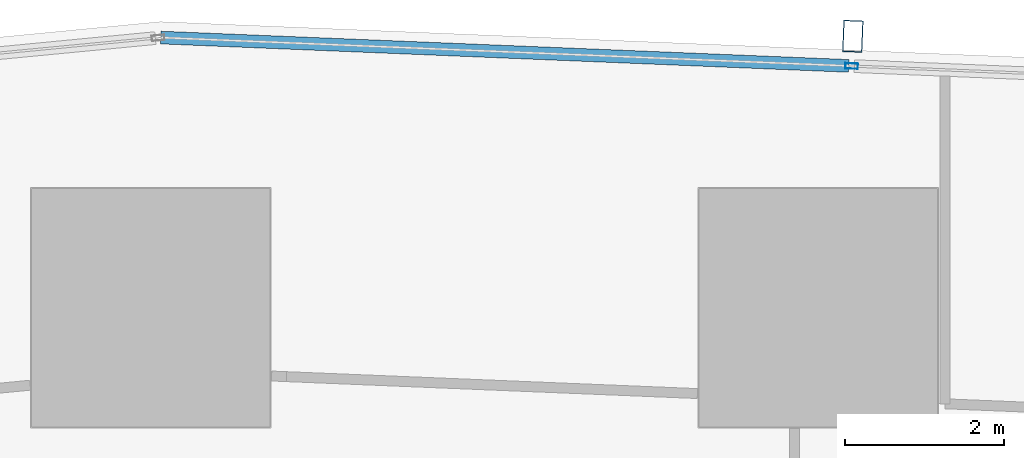
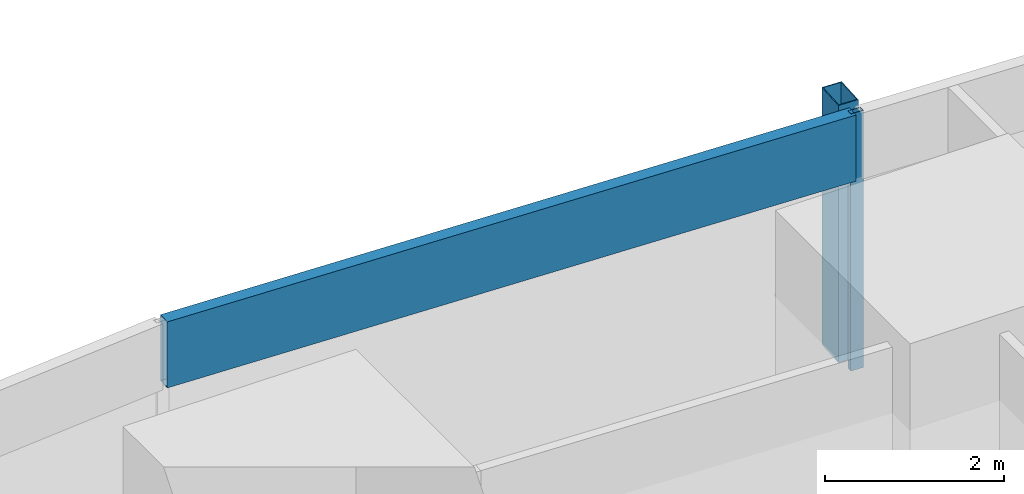
# One storey, part 18 of 45: 3 members, 1 element without a shape of its own.
"""IFC4 building model written with IfcOpenShell, lengths in metres."""

from ifc_helpers import new_model, si_unit, direction, frame, origin, origin_2d, place, context, subcontext, project, spatial, hollow_rectangle, extrude, material, material_profile, profile_set, type_object, element, aggregate, save


model = new_model("IFC4")

# Units and contexts
model_context = context("Model", 3, precision=1e-05, world=origin(), true_north=direction((0.0, 1.0)))
body_context = subcontext(model_context, "Body", "Model", "MODEL_VIEW")
ifc_project = project(units=[si_unit("LENGTHUNIT", "METRE"), si_unit("AREAUNIT", "SQUARE_METRE"), si_unit("VOLUMEUNIT", "CUBIC_METRE"), si_unit("PLANEANGLEUNIT", "RADIAN"), si_unit("MASSUNIT", "GRAM", prefix="KILO")], contexts=[model_context])

# Site, building, storey
site_placement = place(None, origin())
site = spatial("IfcSite", under=ifc_project, at=site_placement, CompositionType="ELEMENT")
building_placement = place(site_placement, origin())
building = spatial("IfcBuilding", under=site, at=building_placement, Name="Rekha Terrace Tower", CompositionType="ELEMENT")
storey_placement = place(building_placement, frame((0.0, 0.0, 77.89990234375)))
storey = spatial("IfcBuildingStorey", under=building, at=storey_placement, Name="L19", CompositionType="ELEMENT", Elevation=77.89990234375)

# Curtain wall, members
ifc_material_1 = material(Name="Aluminium framing", Category="aluminium")
curtain_wall_type = type_object("IfcCurtainWallType", Name="CW3 north unitised glazing", PredefinedType="USERDEFINED", material=ifc_material_1)
curtain_wall_placement = place(storey_placement, origin())
curtain_wall = element("IfcCurtainWall", 1, at=curtain_wall_placement, inside=storey, type_object=curtain_wall_type, Name="CW3 unitised curtain wall", ObjectType="UNITISED CURTAIN WALL", PredefinedType="USERDEFINED")
ifc_material_2 = material(Name="Steel S355 with fluorocarbon finish", Category="steel")
ifc_material_profile_1 = material_profile(ifc_material_2, hollow_rectangle(XDim=0.25, YDim=0.39990234375, WallThickness=0.012451171875, at=origin_2d()), Name="RHS400x250x12.5")
ifc_profile_set_1 = profile_set([ifc_material_profile_1], Name="Steel S355 with fluorocarbon finish")
member_type_1 = type_object("IfcMemberType", Name="BL1 facade blade RHS 400 x 250", PredefinedType="USERDEFINED", material=ifc_profile_set_1)
member_1_placement = place(storey_placement, frame((34.037353515625, 62.2158203125, 0.0), z_axis=(0.0, 0.0, 1.0), x_axis=(-0.99915196507, 0.041174636562, 0.0)))
member_1 = element("IfcMember", 2, at=member_1_placement, type_object=member_type_1, Name="Facade blade", ObjectType="FACADE BLADE", PredefinedType="USERDEFINED", context=body_context, shape_type="SweptSolid", body=[
    extrude(hollow_rectangle(XDim=0.25, YDim=0.39990234375, WallThickness=0.012451171875, at=origin_2d()), origin(), (0.0, 0.0, 1.0), 3.5),
])
ifc_material_3 = material(Name="Aluminium mullion section", Category="aluminium")
ifc_material_profile_2 = material_profile(ifc_material_3, hollow_rectangle(XDim=0.070068359375, YDim=0.159912109375, WallThickness=0.00390625, at=origin_2d()), Name="AL RHS 70x160")
ifc_profile_set_2 = profile_set([ifc_material_profile_2], Name="Aluminium mullion section")
member_type_2 = type_object("IfcMemberType", Name="CW3 mullion RHS 70 x 160", PredefinedType="MULLION", material=ifc_profile_set_2)
member_2_placement = place(storey_placement, frame((34.02197265625, 61.84130859375, 0.0), z_axis=(0.0, 0.0, 1.0), x_axis=(-0.041173846041, -0.999151997647, 0.0)))
member_2 = element("IfcMember", 3, at=member_2_placement, type_object=member_type_2, Name="CW3 mullion 5", PredefinedType="MULLION", context=body_context, shape_type="SweptSolid", body=[
    extrude(hollow_rectangle(XDim=0.070068359375, YDim=0.159912109375, WallThickness=0.00390625, at=origin_2d()), origin(), (0.0, 0.0, 1.0), 3.5),
])
ifc_material_4 = material(Name="Insulated aluminium spandrel box", Category="aluminium")
ifc_material_profile_3 = material_profile(ifc_material_4, hollow_rectangle(XDim=0.159912109375, YDim=0.89990234375, WallThickness=0.0029296875, at=origin_2d()), Name="AL SPANDREL BOX 160x900")
ifc_profile_set_3 = profile_set([ifc_material_profile_3], Name="Insulated aluminium spandrel box")
member_type_3 = type_object("IfcMemberType", Name="CW3 spandrel transom 160 x 900", PredefinedType="USERDEFINED", material=ifc_profile_set_3)
member_3_placement = place(storey_placement, frame((33.987060546875, 61.8427734375, 3.050048828125), z_axis=(-0.999152004012, 0.04117369158, 0.0), x_axis=(-0.04117369158, -0.999152004012, 0.0)))
member_3 = element("IfcMember", 4, at=member_3_placement, type_object=member_type_3, Name="CW3 spandrel transom 5", ObjectType="TRANSOM", PredefinedType="USERDEFINED", context=body_context, shape_type="SweptSolid", body=[
    extrude(hollow_rectangle(XDim=0.159912109375, YDim=0.89990234375, WallThickness=0.0029296875, at=origin_2d()), origin(), (0.0, 0.0, 1.0), 8.6689453125),
])
aggregate(curtain_wall, [member_2, member_3, member_1])

save(model, "model.ifc")
